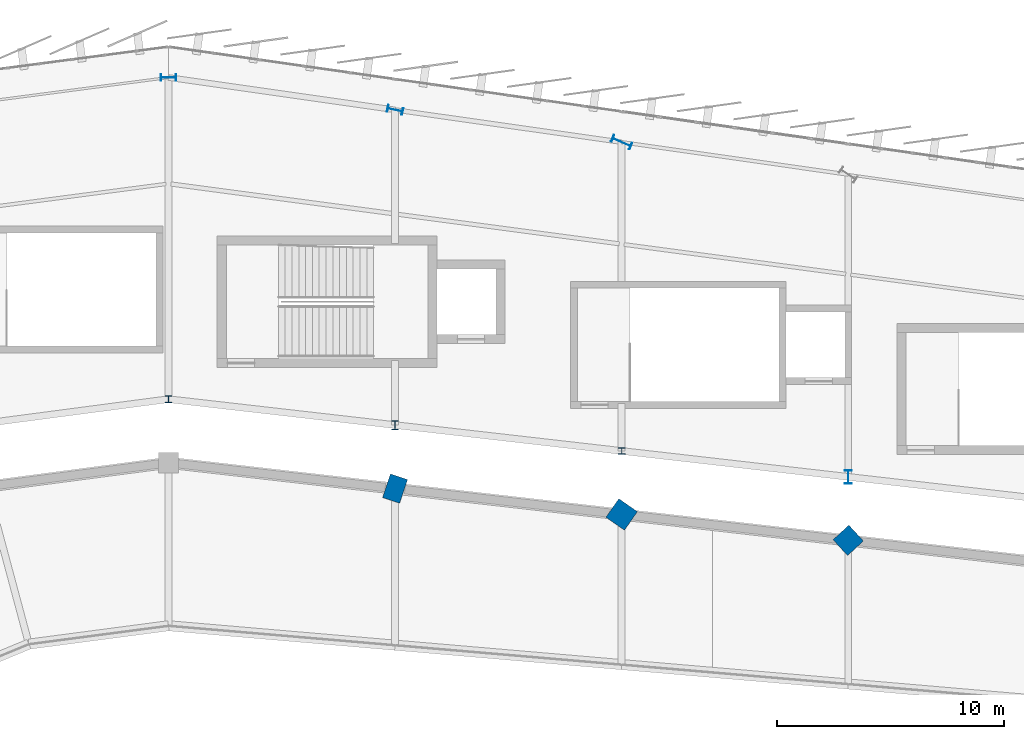
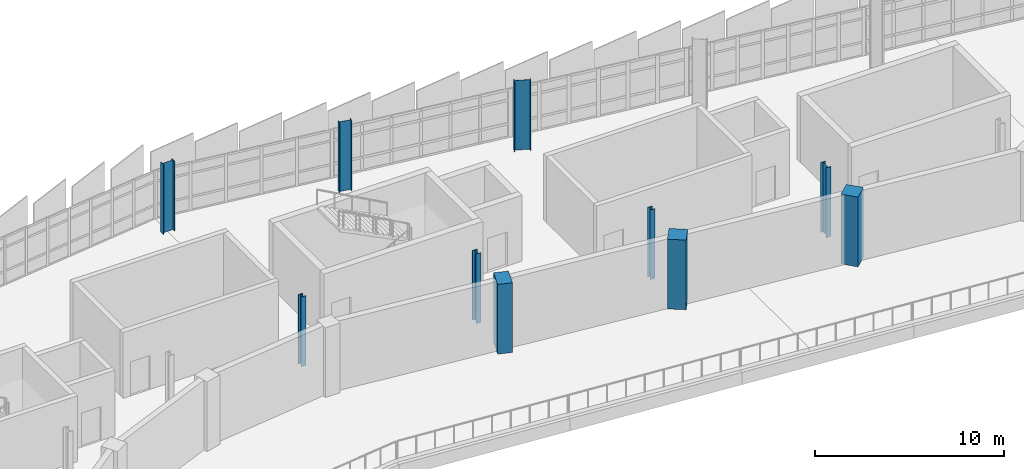
# One storey, part 10 of 87: 10 columns.
"""IFC4 building model written with IfcOpenShell, lengths in metres."""

from ifc_helpers import new_model, si_unit, direction, frame, origin, origin_2d, place, context, subcontext, project, spatial, rectangle, i_section, extrude, material, material_profile, profile_set, type_object, element, save


model = new_model("IFC4")

# Units and contexts
model_context = context("Model", 3, precision=1e-05, world=origin(), true_north=direction((0.0, 1.0)))
body_context = subcontext(model_context, "Body", "Model", "MODEL_VIEW")
ifc_project = project(units=[si_unit("LENGTHUNIT", "METRE"), si_unit("AREAUNIT", "SQUARE_METRE"), si_unit("VOLUMEUNIT", "CUBIC_METRE"), si_unit("PLANEANGLEUNIT", "RADIAN"), si_unit("MASSUNIT", "GRAM", prefix="KILO")], contexts=[model_context])

# Site, building, storey
site_placement = place(None, origin())
site = spatial("IfcSite", under=ifc_project, at=site_placement, CompositionType="ELEMENT")
building_placement = place(site_placement, origin())
building = spatial("IfcBuilding", under=site, at=building_placement, Name="Sohan Crest Arena", CompositionType="ELEMENT")
storey_placement = place(building_placement, frame((0.0, 0.0, 18.0)))
storey = spatial("IfcBuildingStorey", under=building, at=storey_placement, Name="L04", CompositionType="ELEMENT", Elevation=18.0)

# Columns
ifc_material_1 = material(Name="Concrete C40/50", Category="concrete")
ifc_material_profile_1 = material_profile(ifc_material_1, rectangle(XDim=0.949951171875, YDim=0.949951171875, at=origin_2d()), Name="RC 950x950")
ifc_profile_set_1 = profile_set([ifc_material_profile_1], Name="Concrete C40/50")
column_type_1 = type_object("IfcColumnType", Name="STR-COL-C08", PredefinedType="COLUMN", material=ifc_profile_set_1)
column_1_placement = place(storey_placement, frame((128.0, 105.571044921875, 0.0), z_axis=(0.0, 0.0, 1.0), x_axis=(0.73609708712, 0.676875969683, 0.0)))
element("IfcColumn", 1, at=column_1_placement, inside=storey, type_object=column_type_1, Name="Structural column COL-V1R-32-L04", PredefinedType="COLUMN", context=body_context, shape_type="SweptSolid", body=[
    extrude(rectangle(XDim=0.949951171875, YDim=0.949951171875, at=origin_2d()), origin(), (0.0, 0.0, 1.0), 4.5),
])
ifc_material_profile_2 = material_profile(ifc_material_1, rectangle(XDim=1.0, YDim=1.0, at=origin_2d()), Name="RC 1000x1000")
ifc_profile_set_2 = profile_set([ifc_material_profile_2], Name="Concrete C40/50")
column_type_2 = type_object("IfcColumnType", Name="STR-COL-C09", PredefinedType="COLUMN", material=ifc_profile_set_2)
column_2_placement = place(storey_placement, frame((118.0, 106.714111328125, 0.0), z_axis=(0.0, 0.0, 1.0), x_axis=(0.572145873446, 0.820151875874, 0.0)))
element("IfcColumn", 2, at=column_2_placement, inside=storey, type_object=column_type_2, Name="Structural column COL-V1R-33-L04", PredefinedType="COLUMN", context=body_context, shape_type="SweptSolid", body=[
    extrude(rectangle(XDim=1.0, YDim=1.0, at=origin_2d()), origin(), (0.0, 0.0, 1.0), 4.5),
])
ifc_material_profile_3 = material_profile(ifc_material_1, rectangle(XDim=1.10009765625, YDim=0.800048828125, at=origin_2d()), Name="RC 1100x800")
ifc_profile_set_3 = profile_set([ifc_material_profile_3], Name="Concrete C40/50")
column_type_3 = type_object("IfcColumnType", Name="STR-COL-C10", PredefinedType="COLUMN", material=ifc_profile_set_3)
column_3_placement = place(storey_placement, frame((108.0, 107.85693359375, 0.0), z_axis=(0.0, 0.0, 1.0), x_axis=(0.317304656405, 0.948323655206, 0.0)))
element("IfcColumn", 3, at=column_3_placement, inside=storey, type_object=column_type_3, Name="Structural column COL-V1R-34-L04", PredefinedType="COLUMN", context=body_context, shape_type="SweptSolid", body=[
    extrude(rectangle(XDim=1.10009765625, YDim=0.800048828125, at=origin_2d()), origin(), (0.0, 0.0, 1.0), 4.5),
])
ifc_material_2 = material(Name="Steel S355", Category="steel")
ifc_material_profile_4 = material_profile(ifc_material_2, i_section(OverallWidth=0.300048828125, OverallDepth=0.300048828125, WebThickness=0.010986328125, FlangeThickness=0.01904296875, at=origin_2d()), Name="HEB 300")
ifc_profile_set_4 = profile_set([ifc_material_profile_4], Name="Steel S355")
column_type_4 = type_object("IfcColumnType", Name="STR-COL-C17", PredefinedType="COLUMN", material=ifc_profile_set_4)
for number, where, z_axis, x_axis, name in (
    (4, (98.0, 111.800048828125, 0.0), (0.0, 0.0, 1.0), (1.0, 0.0, 0.0), "Structural column COL-V2I-01-L04"),
    (5, (118.0, 109.513916015625, 0.0), (0.0, 0.0, 1.0), (1.0, 0.0, 0.0), "Structural column COL-V2I-33-L04"),
):
    element("IfcColumn", number, at=place(storey_placement, frame(where, z_axis=z_axis, x_axis=x_axis)), inside=storey, type_object=column_type_4, Name=name, PredefinedType="COLUMN", context=body_context, shape_type="SweptSolid", body=[
        extrude(i_section(OverallWidth=0.300048828125, OverallDepth=0.300048828125, WebThickness=0.010986328125, FlangeThickness=0.01904296875, at=origin_2d()), origin(), (0.0, 0.0, 1.0), 4.5),
    ])
ifc_material_profile_5 = material_profile(ifc_material_2, i_section(OverallWidth=0.300048828125, OverallDepth=0.39990234375, WebThickness=0.013427734375, FlangeThickness=0.02392578125, at=origin_2d()), Name="HEB 400")
ifc_profile_set_5 = profile_set([ifc_material_profile_5], Name="Steel S355")
column_type_5 = type_object("IfcColumnType", Name="STR-COL-C18", PredefinedType="COLUMN", material=ifc_profile_set_5)
column_4_placement = place(storey_placement, frame((108.0, 110.656982421875, 0.0), z_axis=(0.0, 0.0, 1.0), x_axis=(1.0, 0.0, 0.0)))
element("IfcColumn", 6, at=column_4_placement, inside=storey, type_object=column_type_5, Name="Structural column COL-V2I-34-L04", PredefinedType="COLUMN", context=body_context, shape_type="SweptSolid", body=[
    extrude(i_section(OverallWidth=0.300048828125, OverallDepth=0.39990234375, WebThickness=0.013427734375, FlangeThickness=0.02392578125, at=origin_2d()), origin(), (0.0, 0.0, 1.0), 4.5),
])
ifc_material_profile_6 = material_profile(ifc_material_2, i_section(OverallWidth=0.300048828125, OverallDepth=0.60009765625, WebThickness=0.015380859375, FlangeThickness=0.030029296875, at=origin_2d()), Name="HEB 600")
ifc_profile_set_6 = profile_set([ifc_material_profile_6], Name="Steel S355")
column_type_6 = type_object("IfcColumnType", Name="STR-COL-C20", PredefinedType="COLUMN", material=ifc_profile_set_6)
column_5_placement = place(storey_placement, frame((128.0, 108.37109375, 0.0), z_axis=(0.0, 0.0, 1.0), x_axis=(1.0, 0.0, 0.0)))
element("IfcColumn", 7, at=column_5_placement, inside=storey, type_object=column_type_6, Name="Structural column COL-V2I-32-L04", PredefinedType="COLUMN", context=body_context, shape_type="SweptSolid", body=[
    extrude(i_section(OverallWidth=0.300048828125, OverallDepth=0.60009765625, WebThickness=0.015380859375, FlangeThickness=0.030029296875, at=origin_2d()), origin(), (0.0, 0.0, 1.0), 4.5),
])
ifc_material_profile_7 = material_profile(ifc_material_2, i_section(OverallWidth=0.300048828125, OverallDepth=0.699951171875, WebThickness=0.01708984375, FlangeThickness=0.031982421875, at=origin_2d()), Name="HEB 700")
ifc_profile_set_7 = profile_set([ifc_material_profile_7], Name="Steel S355")
column_type_7 = type_object("IfcColumnType", Name="STR-COL-C21", PredefinedType="COLUMN", material=ifc_profile_set_7)
for number, where, z_axis, x_axis, name in (
    (8, (98.0, 126.0, 0.0), (0.0, 0.0, 1.0), (0.0, 1.0, 0.0), "Structural column COL-V2O-01-L04"),
    (9, (108.0, 124.571044921875, 0.0), (0.0, 0.0, 1.0), (0.209618562904, 0.977783236759, 0.0), "Structural column COL-V2O-34-L04"),
):
    element("IfcColumn", number, at=place(storey_placement, frame(where, z_axis=z_axis, x_axis=x_axis)), inside=storey, type_object=column_type_7, Name=name, PredefinedType="COLUMN", context=body_context, shape_type="SweptSolid", body=[
        extrude(i_section(OverallWidth=0.300048828125, OverallDepth=0.699951171875, WebThickness=0.01708984375, FlangeThickness=0.031982421875, at=origin_2d()), origin(), (0.0, 0.0, 1.0), 4.5),
    ])
ifc_material_profile_8 = material_profile(ifc_material_2, i_section(OverallWidth=0.300048828125, OverallDepth=0.89990234375, WebThickness=0.0185546875, FlangeThickness=0.034912109375, at=origin_2d()), Name="HEB 900")
ifc_profile_set_8 = profile_set([ifc_material_profile_8], Name="Steel S355")
column_type_8 = type_object("IfcColumnType", Name="STR-COL-C23", PredefinedType="COLUMN", material=ifc_profile_set_8)
column_6_placement = place(storey_placement, frame((118.0, 123.14306640625, 0.0), z_axis=(0.0, 0.0, 1.0), x_axis=(0.40514158678, 0.914253955234, 0.0)))
element("IfcColumn", 10, at=column_6_placement, inside=storey, type_object=column_type_8, Name="Structural column COL-V2O-33-L04", PredefinedType="COLUMN", context=body_context, shape_type="SweptSolid", body=[
    extrude(i_section(OverallWidth=0.300048828125, OverallDepth=0.89990234375, WebThickness=0.0185546875, FlangeThickness=0.034912109375, at=origin_2d()), origin(), (0.0, 0.0, 1.0), 4.5),
])

save(model, "model.ifc")
